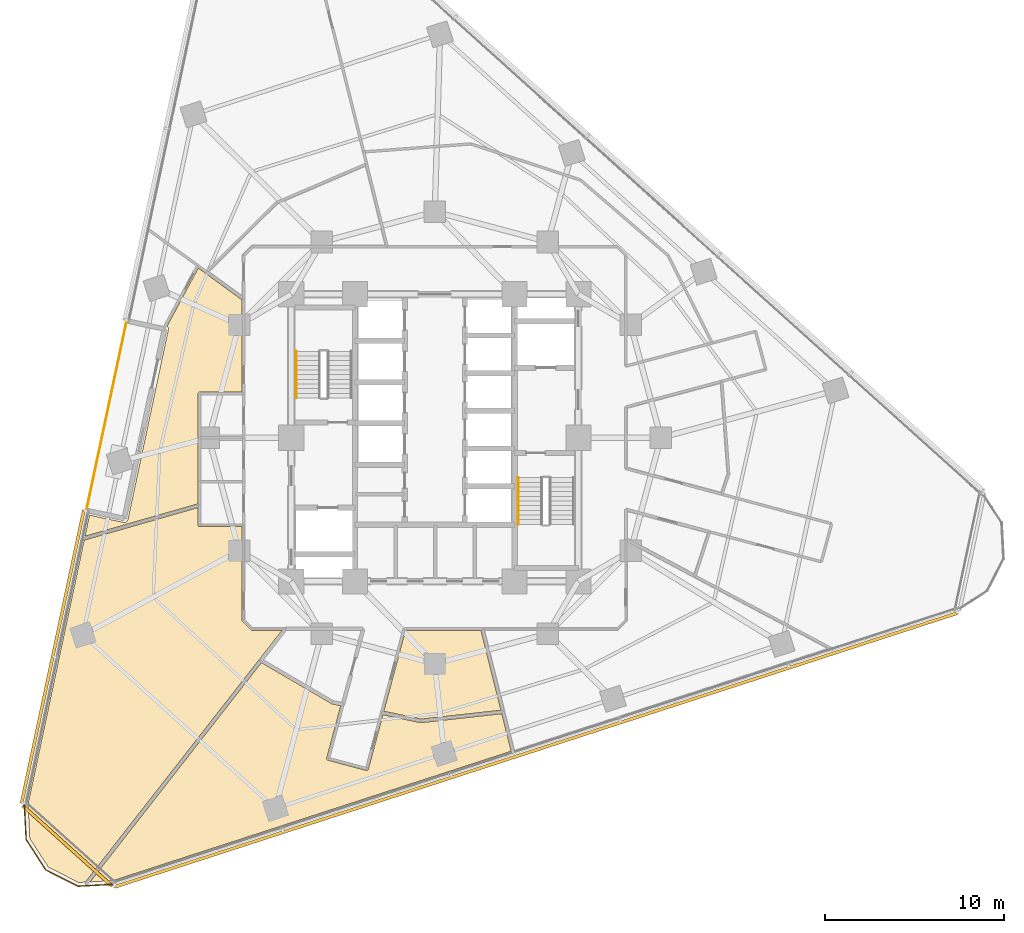
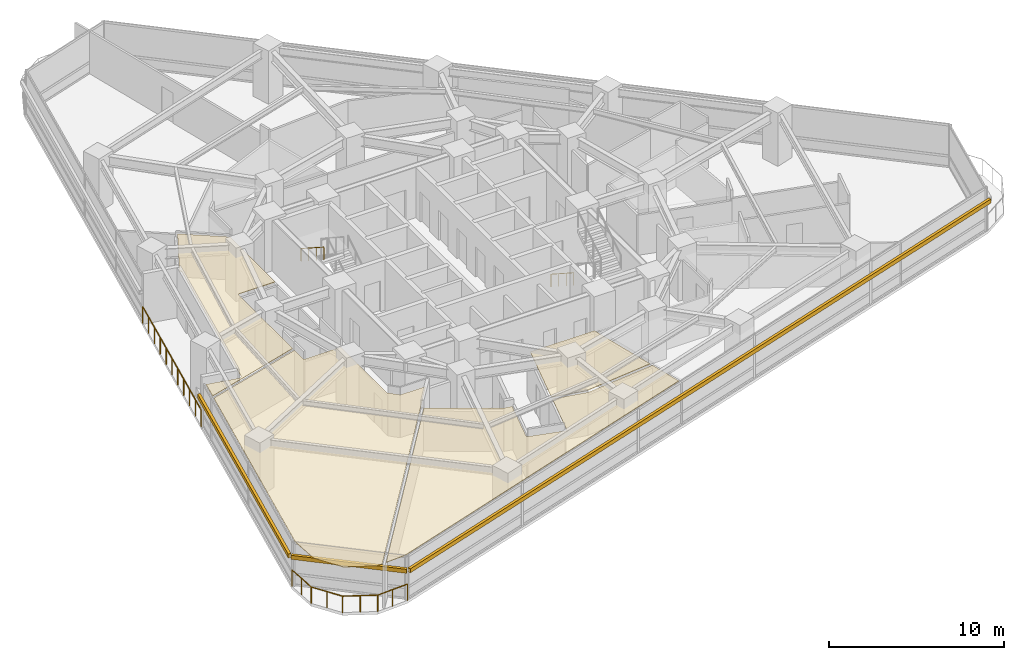
# One storey, part 12 of 14: 4 coverings, 4 railings, 3 shading devices.
"""IFC4 building model written with IfcOpenShell, lengths in metres."""

import ifcopenshell
import ifcopenshell.guid

model = None  # the IFC model being written
_history = None  # IfcOwnerHistory: only IFC2X3 demands one
_inside = {}  # id of a spatial element -> (the spatial element, [elements in it])
_under = {}  # id of a project, library or spatial element -> (it, [spatial elements below it])
_declared = {}  # id of a project -> (the project, [libraries it declares])
_typed = {}  # id of a type object -> (the type object, [elements of that type])
_made_of = {}  # id of a material, layer set ... -> (it, [elements and type objects made of it])


def new_model(schema):
    """Start an empty IFC model of exactly this schema.

    Asked for "IFC4X3", IfcOpenShell would pick the latest addendum, in which some entities
    have other attributes; the version numbers below select the first issue.
    IFC2X3 requires an IfcOwnerHistory on every rooted entity: one is made here for all.
    """
    global model, _history
    if schema == "IFC4X3":
        model = ifcopenshell.file(schema_version=(4, 3, 0, 0))
    else:
        model = ifcopenshell.file(schema=schema)
    _inside.clear()
    _under.clear()
    _declared.clear()
    _typed.clear()
    _made_of.clear()
    _history = None
    if model.schema == "IFC2X3":
        org = make("IfcOrganization", Name="unknown")
        user = make(
            "IfcPersonAndOrganization",
            ThePerson=make("IfcPerson", FamilyName="unknown"),
            TheOrganization=org,
        )
        app = make(
            "IfcApplication",
            ApplicationDeveloper=org,
            Version="unknown",
            ApplicationFullName="unknown",
            ApplicationIdentifier="unknown",
        )
        _history = make(
            "IfcOwnerHistory",
            OwningUser=user,
            OwningApplication=app,
            ChangeAction="ADDED",
            CreationDate=0,
        )
    return model


def make(cls, **values):
    """One entity of the class cls with the attributes given. An attribute that is None is left unset."""
    return model.create_entity(
        cls, **{name: value for name, value in values.items() if value is not None}
    )


def rooted(cls, **values):
    """An entity with a GlobalId (a new one), such as an element, a storey or a relation."""
    return make(cls, GlobalId=ifcopenshell.guid.new(), OwnerHistory=_history, **values)


def si_unit(unit_type, name, prefix=None):
    """IfcSIUnit, for example si_unit("LENGTHUNIT", "METRE", prefix="MILLI")."""
    return make("IfcSIUnit", UnitType=unit_type, Prefix=prefix, Name=name)


def assignment(units):
    """IfcUnitAssignment: the units of a project."""
    return None if units is None else make("IfcUnitAssignment", Units=units)


def point(xyz):
    """IfcCartesianPoint."""
    return None if xyz is None else make("IfcCartesianPoint", Coordinates=xyz)


def direction(xyz):
    """IfcDirection."""
    return None if xyz is None else make("IfcDirection", DirectionRatios=xyz)


def frame(location, z_axis=None, x_axis=None):
    """IfcAxis2Placement3D, a coordinate frame: its origin and axes. An axis left out is left unset."""
    return make(
        "IfcAxis2Placement3D",
        Location=point(location),
        Axis=direction(z_axis),
        RefDirection=direction(x_axis),
    )


def frame_2d(location, x_axis=None):
    """IfcAxis2Placement2D, a coordinate frame in the plane: its origin and x axis."""
    return make(
        "IfcAxis2Placement2D", Location=point(location), RefDirection=direction(x_axis)
    )


def origin():
    """The frame at (0, 0, 0) with its axes left unset."""
    return frame((0.0, 0.0, 0.0))


def origin_2d():
    """The frame at (0, 0) in the plane with its x axis left unset."""
    return frame_2d((0.0, 0.0))


def place(relative_to, where):
    """IfcLocalPlacement: puts the frame where relative to a parent placement (None: the world)."""
    return make(
        "IfcLocalPlacement", PlacementRelTo=relative_to, RelativePlacement=where
    )


def context(
    kind, dimensions, precision=None, world=None, true_north=None, identifier=None
):
    """IfcGeometricRepresentationContext, for example the 3D "Model" context."""
    return make(
        "IfcGeometricRepresentationContext",
        ContextIdentifier=identifier,
        ContextType=kind,
        CoordinateSpaceDimension=dimensions,
        Precision=precision,
        WorldCoordinateSystem=world,
        TrueNorth=true_north,
    )


def subcontext(parent, identifier, kind, view, scale=None):
    """IfcGeometricRepresentationSubContext, for example "Body" below "Model"."""
    return make(
        "IfcGeometricRepresentationSubContext",
        ContextIdentifier=identifier,
        ContextType=kind,
        ParentContext=parent,
        TargetScale=scale,
        TargetView=view,
    )


def project(units=None, contexts=None):
    """IfcProject with its units and contexts."""
    return rooted(
        "IfcProject",
        Name="project",
        RepresentationContexts=contexts,
        UnitsInContext=assignment(units),
    )


def spatial(cls, under=None, at=None, **own):
    """A site, building, storey or space (cls), placed at a placement, below another one or the project."""
    s = rooted(cls, ObjectPlacement=at, **own)
    if under is not None:
        _under.setdefault(under.id(), (under, []))[1].append(s)
    return s


def polyline(points):
    """IfcPolyline through the points."""
    return make("IfcPolyline", Points=[point(p) for p in points])


def profile(cls, at=None, kind="AREA", **sizes):
    """A parametric profile (cls). Its sizes go by their IFC names, for example OverallWidth=200.0."""
    return make(cls, ProfileType=kind, Position=at, **sizes)


def rectangle(**sizes):
    """IfcRectangleProfileDef."""
    return profile("IfcRectangleProfileDef", **sizes)


def circle(**sizes):
    """IfcCircleProfileDef."""
    return profile("IfcCircleProfileDef", **sizes)


def outline(outer, holes=None, kind="AREA"):
    """IfcArbitraryClosedProfileDef: a profile drawn as a closed curve; with holes, ...WithVoids."""
    if holes is None:
        return make("IfcArbitraryClosedProfileDef", ProfileType=kind, OuterCurve=outer)
    return make(
        "IfcArbitraryProfileDefWithVoids",
        ProfileType=kind,
        OuterCurve=outer,
        InnerCurves=holes,
    )


def extrude(swept, where, along, depth):
    """IfcExtrudedAreaSolid: the profile swept, set in the frame where, extruded along a direction by depth."""
    return make(
        "IfcExtrudedAreaSolid",
        SweptArea=swept,
        Position=where,
        ExtrudedDirection=direction(along),
        Depth=depth,
    )


def shape(context_of_items, identifier, shape_type, items):
    """IfcShapeRepresentation: the items that make up one representation, for example the "Body"."""
    return make(
        "IfcShapeRepresentation",
        ContextOfItems=context_of_items,
        RepresentationIdentifier=identifier,
        RepresentationType=shape_type,
        Items=items,
    )


def material(Name=None, Category=None):
    """IfcMaterial."""
    return make("IfcMaterial", Name=Name, Category=Category)


def layer(
    of_material, thickness, ventilated=None, Name=None, Category=None, Priority=None
):
    """IfcMaterialLayer: one layer of a wall or slab, of a material (None: an air gap)."""
    return make(
        "IfcMaterialLayer",
        Material=of_material,
        LayerThickness=thickness,
        IsVentilated=ventilated,
        Name=Name,
        Category=Category,
        Priority=Priority,
    )


def layer_set(layers, Name=None):
    """IfcMaterialLayerSet."""
    return make("IfcMaterialLayerSet", MaterialLayers=layers, LayerSetName=Name)


def made_of(thing, what):
    """Note that an element or type object is made of a material, layer set ...; save() writes the relation."""
    if what is not None:
        _made_of.setdefault(what.id(), (what, []))[1].append(thing)
    return thing


def type_object(cls, material=None, **own):
    """A type object (cls), such as IfcWallType, which elements share."""
    return made_of(rooted(cls, **own), material)


def element(
    cls,
    number,
    at=None,
    inside=None,
    cuts=None,
    type_object=None,
    material=None,
    context=None,
    identifier="Body",
    shape_type=None,
    held_by="IfcProductDefinitionShape",
    body=None,
    shapes=None,
    **own,
):
    """One element of the class cls, such as IfcWall. Its Tag is "e" and its number.

    at: its placement. inside: the storey or other place that contains it. cuts: it is an
    opening in that element (IfcRelVoidsElement). A single representation is given by context,
    identifier, shape_type and body (its items); several are given by shapes. held_by: the class
    of the entity that holds the representations. save() writes the other relations.
    """
    e = rooted(cls, Tag="e%d" % number, ObjectPlacement=at, **own)
    if body is not None:
        shapes = [shape(context, identifier, shape_type, body)]
    if shapes is not None:
        e.Representation = make(held_by, Representations=shapes)
    if inside is not None:
        _inside.setdefault(inside.id(), (inside, []))[1].append(e)
    if cuts is not None:
        rooted(
            "IfcRelVoidsElement", RelatingBuildingElement=cuts, RelatedOpeningElement=e
        )
    if type_object is not None:
        _typed.setdefault(type_object.id(), (type_object, []))[1].append(e)
    return made_of(e, material)


def aggregate(whole, parts):
    """IfcRelAggregates: a whole, such as a stair, and the parts it consists of."""
    return rooted("IfcRelAggregates", RelatingObject=whole, RelatedObjects=parts)


def save(model, path):
    """Write the relations noted so far, then the file.

    IfcRelAggregates (storeys below a building ...), IfcRelContainedInSpatialStructure (elements
    in a storey), IfcRelDefinesByType, IfcRelAssociatesMaterial and IfcRelDeclares: one each for
    every whole, place, type object, material and project.
    """
    for whole, parts in _under.values():
        aggregate(whole, parts)
    for where, things in _inside.values():
        rooted(
            "IfcRelContainedInSpatialStructure",
            RelatedElements=things,
            RelatingStructure=where,
        )
    for kind, things in _typed.values():
        rooted("IfcRelDefinesByType", RelatedObjects=things, RelatingType=kind)
    for what, things in _made_of.values():
        rooted("IfcRelAssociatesMaterial", RelatedObjects=things, RelatingMaterial=what)
    for by, libraries in _declared.values():
        rooted("IfcRelDeclares", RelatingContext=by, RelatedDefinitions=libraries)
    model.write(path)


model = new_model("IFC4")

# Units and contexts
model_context = context("Model", 3, precision=1e-05, world=origin(), true_north=direction((0.0, 1.0)))
body_context = subcontext(model_context, "Body", "Model", "MODEL_VIEW")
ifc_project = project(units=[si_unit("LENGTHUNIT", "METRE"), si_unit("AREAUNIT", "SQUARE_METRE"), si_unit("VOLUMEUNIT", "CUBIC_METRE"), si_unit("PLANEANGLEUNIT", "RADIAN"), si_unit("MASSUNIT", "GRAM", prefix="KILO")], contexts=[model_context])

# Site, building, storey
site_placement = place(None, origin())
site = spatial("IfcSite", under=ifc_project, at=site_placement, CompositionType="ELEMENT")
building_placement = place(site_placement, origin())
building = spatial("IfcBuilding", under=site, at=building_placement, Name="Terralouvre Media Tower", CompositionType="ELEMENT")
storey_placement = place(building_placement, frame((0.0, 0.0, 112.5)))
storey = spatial("IfcBuildingStorey", under=building, at=storey_placement, Name="L28", CompositionType="ELEMENT", Elevation=112.5)

# Coverings
ifc_material_1 = material(Name="Perforated aluminium acoustic ceiling baffle", Category="aluminium")
ifc_layer_1 = layer(ifc_material_1, 0.0400390625, Name="Perforated Acoustic Metal Tile Ceiling CL-AC1")
ifc_layer_set_1 = layer_set([ifc_layer_1], Name="Perforated aluminium acoustic ceiling baffle")
covering_type = type_object("IfcCoveringType", Name="Perforated Acoustic Metal Tile Ceiling CL-AC1", PredefinedType="CEILING", material=ifc_layer_set_1)
covering_1_placement = place(storey_placement, frame((0.0, 0.0, 2.97998046875), z_axis=(0.0, 0.0, 1.0), x_axis=(0.951056516295, 0.309016994375, 0.0)))
element("IfcCovering", 1, at=covering_1_placement, inside=storey, type_object=covering_type, Name="L28 Company Secretary Office 5 Acoustic Ceiling", PredefinedType="CEILING", context=body_context, shape_type="SweptSolid", body=[
    extrude(outline(polyline([(-5.6396484375, -14.865234375), (-5.64990234375, -14.862548828125), (-5.659912109375, -14.858642578125), (-5.66943359375, -14.853759765625), (-7.520751953125, -13.7841796875), (-9.232421875, -16.420654296875), (-9.23828125, -16.428466796875), (-9.24462890625, -16.435791015625), (-9.251953125, -16.442626953125), (-9.259765625, -16.448486328125), (-9.26806640625, -16.45361328125), (-9.27685546875, -16.4580078125), (-9.2861328125, -16.46142578125), (-9.295654296875, -16.4638671875), (-9.30517578125, -16.465576171875), (-9.31494140625, -16.466064453125), (-9.324951171875, -16.4658203125), (-9.33447265625, -16.46435546875), (-9.343994140625, -16.462158203125), (-9.353515625, -16.458984375), (-9.3623046875, -16.454833984375), (-9.370849609375, -16.449951171875), (-11.216064453125, -15.252197265625), (-11.223876953125, -15.246337890625), (-11.231201171875, -15.239990234375), (-11.238037109375, -15.232666015625), (-11.243896484375, -15.224853515625), (-11.2490234375, -15.216552734375), (-11.25341796875, -15.207763671875), (-11.2568359375, -15.198486328125), (-11.25927734375, -15.18896484375), (-11.260986328125, -15.179443359375), (-11.261474609375, -15.169677734375), (-11.26123046875, -15.15966796875), (-11.259765625, -15.150146484375), (-11.257568359375, -15.140625), (-11.25439453125, -15.13134765625), (-11.25048828125, -15.122314453125), (-11.245361328125, -15.11376953125), (-9.60205078125, -12.58251953125), (-10.02880859375, -12.33642578125), (-10.037841796875, -12.330810546875), (-10.0458984375, -12.323974609375), (-10.053466796875, -12.31640625), (-13.064697265625, -8.932373046875), (-25.91943359375, -17.602783203125), (-24.69140625, -17.932373046875), (-1.354248046875, -17.931884765625), (-1.203125, -15.780517578125), (-5.6396484375, -14.865234375)])), origin(), (0.0, 0.0, 1.0), 0.0400390625),
])
covering_2_placement = place(storey_placement, frame((0.0, 0.0, 2.97998046875), z_axis=(0.0, 0.0, 1.0), x_axis=(0.951056516295, 0.309016994375, 0.0)))
element("IfcCovering", 2, at=covering_2_placement, inside=storey, type_object=covering_type, Name="L28 Editorial Collaborative Open Office 7 Acoustic Ceiling", PredefinedType="CEILING", context=body_context, shape_type="SweptSolid", body=[
    extrude(outline(polyline([(-1.189208984375, -15.579345703125), (-0.87109375, -11.020263671875), (-4.880126953125, -9.717529296875), (-7.411376953125, -13.6162109375), (-5.583251953125, -14.672607421875), (-1.189208984375, -15.579345703125)])), origin(), (0.0, 0.0, 1.0), 0.0400390625),
])
covering_3_placement = place(storey_placement, frame((0.0, 0.0, 2.97998046875), z_axis=(0.0, 0.0, 1.0), x_axis=(0.951056516295, 0.309016994375, 0.0)))
element("IfcCovering", 3, at=covering_3_placement, inside=storey, type_object=covering_type, Name="L28 Broadcast Standards Conference Room 8 Acoustic Ceiling", PredefinedType="CEILING", context=body_context, shape_type="SweptSolid", body=[
    extrude(outline(polyline([(-11.4306640625, -7.589111328125), (-12.97509765625, -7.08740234375), (-12.984375, -7.083740234375), (-12.9931640625, -7.07958984375), (-13.00146484375, -7.07421875), (-13.00927734375, -7.068359375), (-13.016357421875, -7.0615234375), (-13.022705078125, -7.05419921875), (-13.0283203125, -7.046142578125), (-13.033447265625, -7.03759765625), (-13.354248046875, -6.407470703125), (-13.3583984375, -6.398681640625), (-13.361572265625, -6.389404296875), (-13.36376953125, -6.379638671875), (-13.364990234375, -6.3701171875), (-13.365234375, -6.360107421875), (-13.364501953125, -6.350341796875), (-13.363037109375, -6.3408203125), (-13.3603515625, -6.331298828125), (-11.75341796875, -1.3857421875), (-13.988525390625, -0.65966796875), (-13.99755859375, -0.656005859375), (-14.00634765625, -0.65185546875), (-14.0146484375, -0.646484375), (-14.0224609375, -0.640625), (-14.029541015625, -0.6337890625), (-14.0361328125, -0.62646484375), (-14.041748046875, -0.618408203125), (-14.046630859375, -0.60986328125), (-14.05078125, -0.600830078125), (-14.0537109375, -0.591796875), (-14.055908203125, -0.58203125), (-14.057373046875, -0.572265625), (-14.0576171875, -0.5625), (-14.056884765625, -0.552734375), (-14.05517578125, -0.54296875), (-14.052734375, -0.53369140625), (-13.755615234375, 0.380615234375), (-16.330322265625, 0.47021484375), (-20.35302734375, 0.61083984375), (-27.874755859375, -12.416748046875), (-28.372314453125, -14.27197265625), (-27.883056640625, -16.0986328125), (-26.54638671875, -17.434814453125), (-26.17529296875, -17.5341796875), (-13.10400390625, -8.7177734375), (-11.4306640625, -7.589111328125)])), origin(), (0.0, 0.0, 1.0), 0.0400390625),
])
covering_4_placement = place(storey_placement, frame((0.0, 0.0, 2.97998046875), z_axis=(0.0, 0.0, 1.0), x_axis=(0.951056516295, 0.309016994375, 0.0)))
element("IfcCovering", 4, at=covering_4_placement, inside=storey, type_object=covering_type, Name="L28 Executive Dining Room 13 Acoustic Ceiling", PredefinedType="CEILING", context=body_context, shape_type="SweptSolid", body=[
    extrude(outline(polyline([(-16.323486328125, 0.670166015625), (-13.69140625, 0.578369140625), (-11.796875, 6.4091796875), (-11.79345703125, 6.418212890625), (-11.7890625, 6.427001953125), (-11.78369140625, 6.435302734375), (-11.77783203125, 6.443115234375), (-11.77099609375, 6.4501953125), (-11.763671875, 6.456787109375), (-11.755615234375, 6.46240234375), (-11.7470703125, 6.46728515625), (-11.738037109375, 6.471435546875), (-11.72900390625, 6.474365234375), (-11.71923828125, 6.4765625), (-11.709716796875, 6.47802734375), (-11.69970703125, 6.478271484375), (-11.68994140625, 6.4775390625), (-11.680419921875, 6.475830078125), (-11.6708984375, 6.473388671875), (-9.435791015625, 5.7470703125), (-7.848388671875, 10.6328125), (-9.32568359375, 12.664794921875), (-9.616455078125, 13.06494140625), (-12.26708984375, 10.535400390625), (-12.263916015625, 10.52978515625), (-12.259521484375, 10.521728515625), (-12.256103515625, 10.513427734375), (-12.252197265625, 10.502685546875), (-12.250732421875, 10.497802734375), (-12.2470703125, 10.486083984375), (-12.245361328125, 10.479248046875), (-12.24267578125, 10.468017578125), (-12.24072265625, 10.456787109375), (-12.239501953125, 10.44482421875), (-12.23876953125, 10.43701171875), (-12.23828125, 10.42529296875), (-12.238525390625, 10.4169921875), (-12.239013671875, 10.40576171875), (-12.23974609375, 10.396484375), (-12.241455078125, 10.387451171875), (-12.244384765625, 10.375732421875), (-12.2470703125, 10.364013671875), (-12.24951171875, 10.355712890625), (-12.25244140625, 10.34765625), (-12.2568359375, 10.33740234375), (-12.260009765625, 10.330810546875), (-12.265625, 10.320068359375), (-12.267822265625, 10.316162109375), (-15.535888671875, 4.656005859375), (-17.66748046875, 0.962890625), (-17.669189453125, 0.959716796875), (-17.67578125, 0.94921875), (-17.681640625, 0.940673828125), (-17.68896484375, 0.931640625), (-17.695068359375, 0.92431640625), (-17.7021484375, 0.917724609375), (-17.7197265625, 0.90234375), (-17.72509765625, 0.89794921875), (-17.73486328125, 0.890625), (-17.7421875, 0.8857421875), (-17.749755859375, 0.88134765625), (-17.759765625, 0.876220703125), (-17.76513671875, 0.873779296875), (-17.776123046875, 0.868896484375), (-17.7822265625, 0.866455078125), (-17.79296875, 0.862548828125), (-17.800537109375, 0.860107421875), (-17.808349609375, 0.8583984375), (-17.82080078125, 0.85595703125), (-17.82421875, 0.85546875), (-17.83544921875, 0.853759765625), (-17.84521484375, 0.852783203125), (-17.85498046875, 0.852783203125), (-17.866455078125, 0.853271484375), (-17.868408203125, 0.853515625), (-17.880859375, 0.854248046875), (-17.888916015625, 0.855224609375), (-17.90087890625, 0.85693359375), (-17.908935546875, 0.8583984375), (-17.9169921875, 0.86083984375), (-17.927490234375, 0.8642578125), (-17.935302734375, 0.866943359375), (-17.957275390625, 0.876220703125), (-17.96875, 0.882080078125), (-19.63916015625, 1.84765625), (-20.23974609375, 0.806884765625), (-16.323486328125, 0.670166015625)])), origin(), (0.0, 0.0, 1.0), 0.0400390625),
])

# Railings
ifc_material_2 = material(Name="Stainless steel 316 handrail and balustrade", Category="steel")
ifc_layer_2 = layer(ifc_material_2, 0.06005859375, Name="Roof Edge Safety Guardrail GR-ROOF1")
ifc_layer_set_2 = layer_set([ifc_layer_2], Name="Stainless steel 316 handrail and balustrade")
railing_type_1 = type_object("IfcRailingType", Name="Roof Edge Safety Guardrail GR-ROOF1", PredefinedType="GUARDRAIL", material=ifc_layer_set_2)
railing_1_placement = place(storey_placement, frame((-17.17333984375, 6.512939453125, 0.0)))
element("IfcRailing", 5, at=railing_1_placement, inside=storey, type_object=railing_type_1, Name="L28 SG Outer Edge Glass Balustrade", PredefinedType="GUARDRAIL", context=body_context, shape_type="SweptSolid", body=[
    extrude(circle(Radius=0.02392578125, at=origin_2d()), frame((0.0, 0.0, 1.1259765625), z_axis=(-0.207900120229, -0.978150060067, 0.0), x_axis=(0.978150060067, -0.207900120229, 0.0)), (0.0, 0.0, 1.0), 10.80029296875),
    extrude(circle(Radius=0.02099609375, at=origin_2d()), origin(), (0.0, 0.0, 1.0), 1.101806640625),
    extrude(circle(Radius=0.02099609375, at=origin_2d()), frame((-0.224609375, -1.056396484375, 0.0)), (0.0, 0.0, 1.0), 1.101806640625),
    extrude(circle(Radius=0.02099609375, at=origin_2d()), frame((-0.448974609375, -2.11279296875, 0.0)), (0.0, 0.0, 1.0), 1.101806640625),
    extrude(circle(Radius=0.02099609375, at=origin_2d()), frame((-0.673583984375, -3.169189453125, 0.0)), (0.0, 0.0, 1.0), 1.101806640625),
    extrude(circle(Radius=0.02099609375, at=origin_2d()), frame((-0.898193359375, -4.2255859375, 0.0)), (0.0, 0.0, 1.0), 1.101806640625),
    extrude(circle(Radius=0.02099609375, at=origin_2d()), frame((-1.12255859375, -5.2822265625, 0.0)), (0.0, 0.0, 1.0), 1.101806640625),
    extrude(circle(Radius=0.02099609375, at=origin_2d()), frame((-1.34716796875, -6.338623046875, 0.0)), (0.0, 0.0, 1.0), 1.101806640625),
    extrude(circle(Radius=0.02099609375, at=origin_2d()), frame((-1.57177734375, -7.39501953125, 0.0)), (0.0, 0.0, 1.0), 1.101806640625),
    extrude(circle(Radius=0.02099609375, at=origin_2d()), frame((-1.79638671875, -8.451416015625, 0.0)), (0.0, 0.0, 1.0), 1.101806640625),
    extrude(circle(Radius=0.02099609375, at=origin_2d()), frame((-2.020751953125, -9.5078125, 0.0)), (0.0, 0.0, 1.0), 1.101806640625),
    extrude(circle(Radius=0.02099609375, at=origin_2d()), frame((-2.245361328125, -10.564208984375, 0.0)), (0.0, 0.0, 1.0), 1.101806640625),
])
railing_2_placement = place(storey_placement, frame((-22.8837890625, -20.395751953125, 0.0)))
element("IfcRailing", 6, at=railing_2_placement, inside=storey, type_object=railing_type_1, Name="L28 Wind-Corner Perimeter Safety Guardrail C0", PredefinedType="GUARDRAIL", context=body_context, shape_type="SweptSolid", body=[
    extrude(circle(Radius=0.02099609375, at=origin_2d()), frame((0.0, 0.0, 1.12890625), z_axis=(0.05204188706, -0.998644902851, 0.0), x_axis=(0.998644902851, 0.05204188706, 0.0)), (0.0, 0.0, 1.0), 2.0078125),
    extrude(circle(Radius=0.02099609375, at=origin_2d()), frame((0.1044921875, -2.005126953125, 1.12890625), z_axis=(0.544556562485, -0.838724120468, 0.0), x_axis=(0.838724120468, 0.544556562485, 0.0)), (0.0, 0.0, 1.0), 2.007568359375),
    extrude(circle(Radius=0.02099609375, at=origin_2d()), frame((1.19775390625, -3.68896484375, 1.12890625), z_axis=(0.891070121909, -0.453865660566, 0.0), x_axis=(0.453865660566, 0.891070121909, 0.0)), (0.0, 0.0, 1.0), 2.007568359375),
    extrude(circle(Radius=0.02099609375, at=origin_2d()), frame((2.986572265625, -4.60009765625, 1.12890625), z_axis=(0.998619508244, 0.052526924091, 0.0), x_axis=(-0.052526924091, 0.998619508244, 0.0)), (0.0, 0.0, 1.0), 2.0078125),
    extrude(circle(Radius=0.01904296875, at=origin_2d()), origin(), (0.0, 0.0, 1.0), 1.10791015625),
    extrude(circle(Radius=0.01904296875, at=origin_2d()), frame((0.05224609375, -1.00244140625, 0.0)), (0.0, 0.0, 1.0), 1.10791015625),
    extrude(circle(Radius=0.01904296875, at=origin_2d()), frame((0.1044921875, -2.005126953125, 0.0)), (0.0, 0.0, 1.0), 1.10791015625),
    extrude(circle(Radius=0.01904296875, at=origin_2d()), frame((0.651123046875, -2.84716796875, 0.0)), (0.0, 0.0, 1.0), 1.10791015625),
    extrude(circle(Radius=0.01904296875, at=origin_2d()), frame((1.19775390625, -3.68896484375, 0.0)), (0.0, 0.0, 1.0), 1.10791015625),
    extrude(circle(Radius=0.01904296875, at=origin_2d()), frame((2.09228515625, -4.14453125, 0.0)), (0.0, 0.0, 1.0), 1.10791015625),
    extrude(circle(Radius=0.01904296875, at=origin_2d()), frame((2.986572265625, -4.60009765625, 0.0)), (0.0, 0.0, 1.0), 1.10791015625),
    extrude(circle(Radius=0.01904296875, at=origin_2d()), frame((3.9892578125, -4.54736328125, 0.0)), (0.0, 0.0, 1.0), 1.10791015625),
    extrude(circle(Radius=0.01904296875, at=origin_2d()), frame((4.99169921875, -4.49462890625, 0.0)), (0.0, 0.0, 1.0), 1.10791015625),
])
ifc_material_3 = material(Name="Stainless steel 316 handrail and balustrade", Category="steel")
ifc_layer_3 = layer(ifc_material_3, 0.050048828125, Name="Stair Flight Wall Handrail HR-INT1")
ifc_layer_set_3 = layer_set([ifc_layer_3], Name="Stainless steel 316 handrail and balustrade")
railing_type_2 = type_object("IfcRailingType", Name="Stair Flight Wall Handrail HR-INT1", PredefinedType="HANDRAIL", material=ifc_layer_set_3)
for number, where, name in (
    (7, (-7.72998046875, 4.820068359375, 2.01806640625), "L28 ST-01 stair handrail 2"),
    (8, (4.64990234375, -2.219970703125, 0.168212890625), "L28 ST-02 stair handrail 1"),
):
    element("IfcRailing", number, at=place(storey_placement, frame(where)), inside=storey, type_object=railing_type_2, Name=name, PredefinedType="HANDRAIL", context=body_context, shape_type="SweptSolid", body=[
        extrude(circle(Radius=0.02392578125, at=origin_2d()), frame((0.0, 0.0, 0.8759765625), z_axis=(0.0, -0.839648411786, 0.543130320075), x_axis=(1.0, 0.0, 0.0)), (0.0, 0.0, 1.0), 3.0966796875),
        extrude(circle(Radius=0.02099609375, at=origin_2d()), origin(), (0.0, 0.0, 1.0), 0.851806640625),
        extrude(circle(Radius=0.02099609375, at=origin_2d()), frame((0.0, -0.86669921875, 0.560546875)), (0.0, 0.0, 1.0), 0.851806640625),
        extrude(circle(Radius=0.02099609375, at=origin_2d()), frame((0.0, -1.7333984375, 1.121337890625)), (0.0, 0.0, 1.0), 0.851806640625),
        extrude(circle(Radius=0.02099609375, at=origin_2d()), frame((0.0, -2.60009765625, 1.681884765625)), (0.0, 0.0, 1.0), 0.851806640625),
    ])

# Shading devices
ifc_material_4 = material(Name="Extruded terracotta baguette sunshade louvres", Category="masonry")
shading_device_type = type_object("IfcShadingDeviceType", Name="Terracotta Baguette Sunshade Louvre Screen TB-LV1", PredefinedType="USERDEFINED", material=ifc_material_4)
shading_device_1_placement = place(storey_placement, frame((5.652587890625, -17.396728515625, 2.02392578125), z_axis=(0.0, 0.0, 1.0), x_axis=(0.951056509451, 0.309017015439, 0.0)))
element("IfcShadingDevice", 9, at=shading_device_1_placement, inside=storey, type_object=shading_device_type, Name="CW-L28-F0 Terracotta Baguette Sunshade Louvre", ObjectType="BAGUETTE", PredefinedType="USERDEFINED", context=body_context, shape_type="SweptSolid", body=[
    extrude(rectangle(XDim=49.43994140625, YDim=0.179931640625, at=origin_2d()), origin(), (0.0, 0.0, 1.0), 0.280029296875),
])
shading_device_2_placement = place(storey_placement, frame((-21.293701171875, -12.199462890625, 2.02392578125), z_axis=(0.0, 0.0, 1.0), x_axis=(-0.207911137518, -0.978147718341, 0.0)))
element("IfcShadingDevice", 10, at=shading_device_2_placement, inside=storey, type_object=shading_device_type, Name="CW-L28-F2R Terracotta Baguette Sunshade Louvre", ObjectType="BAGUETTE", PredefinedType="USERDEFINED", context=body_context, shape_type="SweptSolid", body=[
    extrude(rectangle(XDim=16.719970703125, YDim=0.179931640625, at=origin_2d()), origin(), (0.0, 0.0, 1.0), 0.280029296875),
])
shading_device_3_placement = place(storey_placement, frame((-20.478271484375, -22.743408203125, 2.02392578125), z_axis=(0.0, 0.0, 1.0), x_axis=(0.743144668471, -0.669130780732, 0.0)))
element("IfcShadingDevice", 11, at=shading_device_3_placement, inside=storey, type_object=shading_device_type, Name="CW-L28-C0 Terracotta Baguette Sunshade Louvre", ObjectType="BAGUETTE", PredefinedType="USERDEFINED", context=body_context, shape_type="SweptSolid", body=[
    extrude(rectangle(XDim=6.720458984375, YDim=0.179931640625, at=origin_2d()), origin(), (0.0, 0.0, 1.0), 0.280029296875),
])

save(model, "model.ifc")
